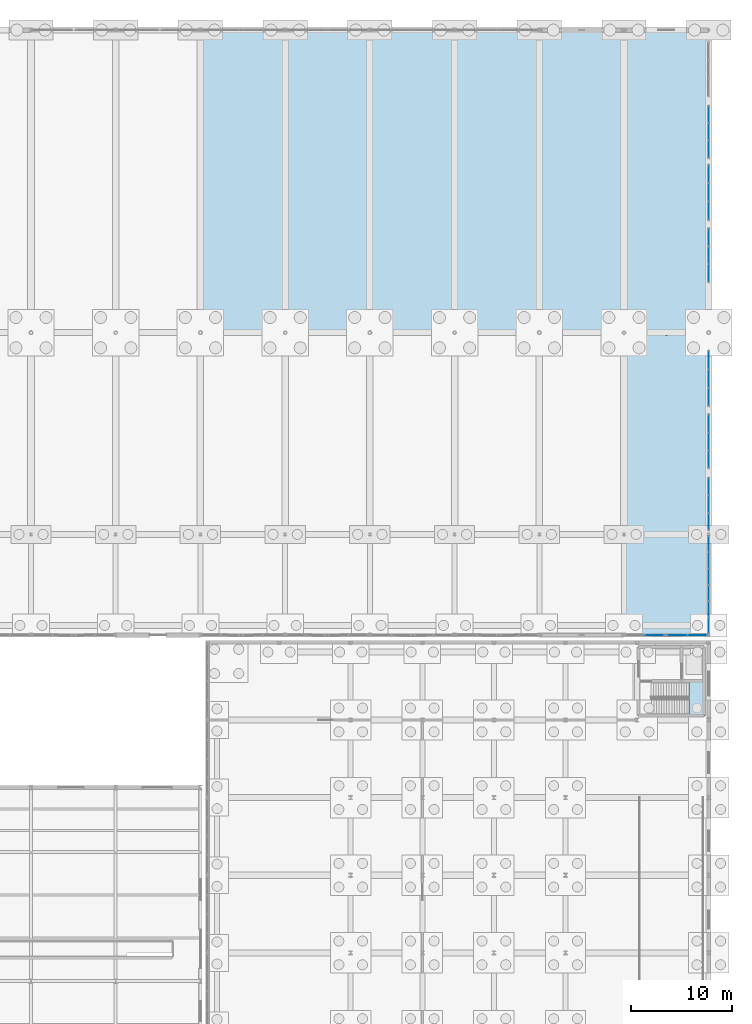
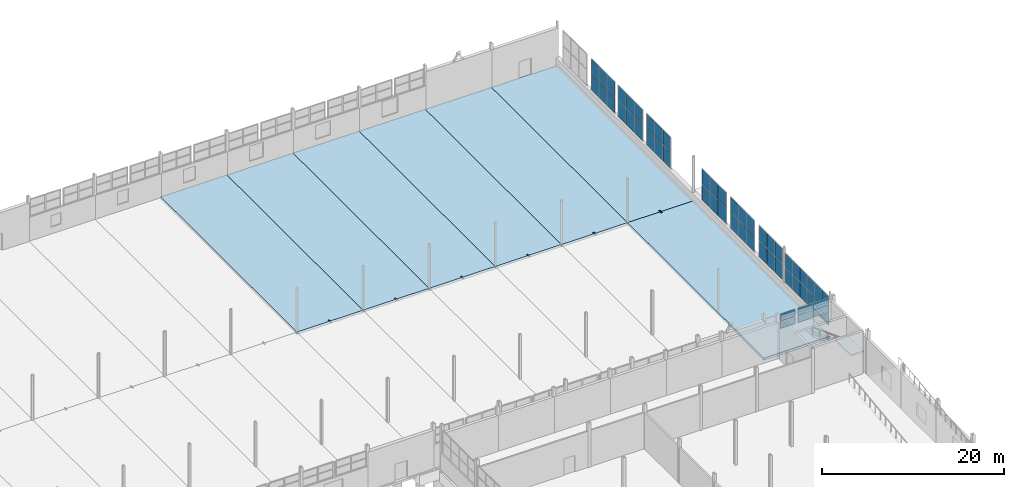
# One storey, part 109 of 139: 54 plates, 8 slabs, 10 elements without a shape of their own.
"""IFC4 building model written with IfcOpenShell, lengths in metres."""

from ifc_helpers import new_model, si_unit, direction, frame, origin, origin_2d, place, context, subcontext, project, spatial, polyline, rectangle, outline, extrude, material, layer, layer_set, type_object, element, aggregate, save


model = new_model("IFC4")

# Units and contexts
model_context = context("Model", 3, precision=1e-05, world=origin(), true_north=direction((0.0, 1.0)))
body_context = subcontext(model_context, "Body", "Model", "MODEL_VIEW")
ifc_project = project(units=[si_unit("LENGTHUNIT", "METRE"), si_unit("AREAUNIT", "SQUARE_METRE"), si_unit("VOLUMEUNIT", "CUBIC_METRE"), si_unit("PLANEANGLEUNIT", "RADIAN"), si_unit("MASSUNIT", "GRAM", prefix="KILO")], contexts=[model_context])

# Site, building, storey
site_placement = place(None, origin())
site = spatial("IfcSite", under=ifc_project, at=site_placement, CompositionType="ELEMENT")
building_placement = place(site_placement, origin())
building = spatial("IfcBuilding", under=site, at=building_placement, Name="Kazenagashi Tramway Depot", CompositionType="ELEMENT")
storey_placement = place(building_placement, origin())
storey = spatial("IfcBuildingStorey", under=building, at=storey_placement, Name="L01", CompositionType="ELEMENT", Elevation=0.0)

# Curtain wall, plates
ifc_material_1 = material(Name="Anodised Aluminium and Low-E Glazing", Category="aluminium")
curtain_wall_type_1 = type_object("IfcCurtainWallType", Name="CW-01", PredefinedType="USERDEFINED", material=ifc_material_1)
curtain_wall_1_placement = place(storey_placement, origin())
curtain_wall_1 = element("IfcCurtainWall", 1, at=curtain_wall_1_placement, inside=storey, type_object=curtain_wall_type_1, Name="Industrial Glazed Screen CW-01 CW-0001", ObjectType="GLAZED SCREEN", PredefinedType="USERDEFINED")
ifc_material_2 = material(Name="Tempered Laminated Low-E Glass", Category="glass")
ifc_layer_1 = layer(ifc_material_2, 0.016)
ifc_layer_set_1 = layer_set([ifc_layer_1], Name="Tempered Laminated Low-E Glass")
plate_type_1 = type_object("IfcPlateType", Name="GL-01", PredefinedType="CURTAIN_PANEL", material=ifc_layer_set_1)
plate_1_placement = place(storey_placement, frame((196.0, 70.965, 1.26), z_axis=(0.0, 0.0, 1.0), x_axis=(0.0, 1.0, 0.0)))
plate_1 = element("IfcPlate", 2, at=plate_1_placement, type_object=plate_type_1, Name="CW-01 panel 1.1", PredefinedType="CURTAIN_PANEL", context=body_context, shape_type="SweptSolid", body=[
    extrude(rectangle(XDim=1.53, YDim=0.016, at=origin_2d()), origin(), (0.0, 0.0, 1.0), 2.014),
])
plate_2_placement = place(storey_placement, frame((196.0, 70.965, 3.334), z_axis=(0.0, 0.0, 1.0), x_axis=(0.0, 1.0, 0.0)))
plate_2 = element("IfcPlate", 3, at=plate_2_placement, type_object=plate_type_1, Name="CW-01 panel 1.2", PredefinedType="CURTAIN_PANEL", context=body_context, shape_type="SweptSolid", body=[
    extrude(rectangle(XDim=1.53, YDim=0.016, at=origin_2d()), origin(), (0.0, 0.0, 1.0), 1.853),
])
plate_3_placement = place(storey_placement, frame((196.0, 72.57, 1.26), z_axis=(0.0, 0.0, 1.0), x_axis=(0.0, 1.0, 0.0)))
plate_3 = element("IfcPlate", 4, at=plate_3_placement, type_object=plate_type_1, Name="CW-01 panel 2.1", PredefinedType="CURTAIN_PANEL", context=body_context, shape_type="SweptSolid", body=[
    extrude(rectangle(XDim=1.56, YDim=0.016, at=origin_2d()), origin(), (0.0, 0.0, 1.0), 2.014),
])
plate_4_placement = place(storey_placement, frame((196.0, 72.57, 3.334), z_axis=(0.0, 0.0, 1.0), x_axis=(0.0, 1.0, 0.0)))
plate_4 = element("IfcPlate", 5, at=plate_4_placement, type_object=plate_type_1, Name="CW-01 panel 2.2", PredefinedType="CURTAIN_PANEL", context=body_context, shape_type="SweptSolid", body=[
    extrude(rectangle(XDim=1.56, YDim=0.016, at=origin_2d()), origin(), (0.0, 0.0, 1.0), 1.853),
])
plate_5_placement = place(storey_placement, frame((196.0, 74.19, 1.26), z_axis=(0.0, 0.0, 1.0), x_axis=(0.0, 1.0, 0.0)))
plate_5 = element("IfcPlate", 6, at=plate_5_placement, type_object=plate_type_1, Name="CW-01 panel 3.1", PredefinedType="CURTAIN_PANEL", context=body_context, shape_type="SweptSolid", body=[
    extrude(rectangle(XDim=1.56, YDim=0.016, at=origin_2d()), origin(), (0.0, 0.0, 1.0), 2.014),
])
plate_6_placement = place(storey_placement, frame((196.0, 74.19, 3.334), z_axis=(0.0, 0.0, 1.0), x_axis=(0.0, 1.0, 0.0)))
plate_6 = element("IfcPlate", 7, at=plate_6_placement, type_object=plate_type_1, Name="CW-01 panel 3.2", PredefinedType="CURTAIN_PANEL", context=body_context, shape_type="SweptSolid", body=[
    extrude(rectangle(XDim=1.56, YDim=0.016, at=origin_2d()), origin(), (0.0, 0.0, 1.0), 1.853),
])
plate_7_placement = place(storey_placement, frame((196.0, 75.81, 1.26), z_axis=(0.0, 0.0, 1.0), x_axis=(0.0, 1.0, 0.0)))
plate_7 = element("IfcPlate", 8, at=plate_7_placement, type_object=plate_type_1, Name="CW-01 panel 4.1", PredefinedType="CURTAIN_PANEL", context=body_context, shape_type="SweptSolid", body=[
    extrude(rectangle(XDim=1.56, YDim=0.016, at=origin_2d()), origin(), (0.0, 0.0, 1.0), 2.014),
])
plate_8_placement = place(storey_placement, frame((196.0, 75.81, 3.334), z_axis=(0.0, 0.0, 1.0), x_axis=(0.0, 1.0, 0.0)))
plate_8 = element("IfcPlate", 9, at=plate_8_placement, type_object=plate_type_1, Name="CW-01 panel 4.2", PredefinedType="CURTAIN_PANEL", context=body_context, shape_type="SweptSolid", body=[
    extrude(rectangle(XDim=1.56, YDim=0.016, at=origin_2d()), origin(), (0.0, 0.0, 1.0), 1.853),
])
plate_9_placement = place(storey_placement, frame((196.0, 77.43, 1.26), z_axis=(0.0, 0.0, 1.0), x_axis=(0.0, 1.0, 0.0)))
plate_9 = element("IfcPlate", 10, at=plate_9_placement, type_object=plate_type_1, Name="CW-01 panel 5.1", PredefinedType="CURTAIN_PANEL", context=body_context, shape_type="SweptSolid", body=[
    extrude(rectangle(XDim=1.56, YDim=0.016, at=origin_2d()), origin(), (0.0, 0.0, 1.0), 2.014),
])
plate_10_placement = place(storey_placement, frame((196.0, 77.43, 3.334), z_axis=(0.0, 0.0, 1.0), x_axis=(0.0, 1.0, 0.0)))
plate_10 = element("IfcPlate", 11, at=plate_10_placement, type_object=plate_type_1, Name="CW-01 panel 5.2", PredefinedType="CURTAIN_PANEL", context=body_context, shape_type="SweptSolid", body=[
    extrude(rectangle(XDim=1.56, YDim=0.016, at=origin_2d()), origin(), (0.0, 0.0, 1.0), 1.853),
])
plate_11_placement = place(storey_placement, frame((196.0, 79.035, 1.26), z_axis=(0.0, 0.0, 1.0), x_axis=(0.0, 1.0, 0.0)))
plate_11 = element("IfcPlate", 12, at=plate_11_placement, type_object=plate_type_1, Name="CW-01 panel 6.1", PredefinedType="CURTAIN_PANEL", context=body_context, shape_type="SweptSolid", body=[
    extrude(rectangle(XDim=1.53, YDim=0.016, at=origin_2d()), origin(), (0.0, 0.0, 1.0), 2.014),
])
plate_12_placement = place(storey_placement, frame((196.0, 79.035, 3.334), z_axis=(0.0, 0.0, 1.0), x_axis=(0.0, 1.0, 0.0)))
plate_12 = element("IfcPlate", 13, at=plate_12_placement, type_object=plate_type_1, Name="CW-01 panel 6.2", PredefinedType="CURTAIN_PANEL", context=body_context, shape_type="SweptSolid", body=[
    extrude(rectangle(XDim=1.53, YDim=0.016, at=origin_2d()), origin(), (0.0, 0.0, 1.0), 1.853),
])
aggregate(curtain_wall_1, [plate_1, plate_2, plate_3, plate_4, plate_5, plate_6, plate_7, plate_8, plate_9, plate_10, plate_11, plate_12])

curtain_wall_type_2 = type_object("IfcCurtainWallType", Name="CW-03", PredefinedType="USERDEFINED", material=ifc_material_1)
curtain_wall_2_placement = place(storey_placement, origin())
curtain_wall_2 = element("IfcCurtainWall", 14, at=curtain_wall_2_placement, inside=storey, type_object=curtain_wall_type_2, Name="Industrial Glazed Screen CW-03 CW-0003", ObjectType="GLAZED SCREEN", PredefinedType="USERDEFINED")
ifc_layer_2 = layer(ifc_material_2, 0.02)
ifc_layer_set_2 = layer_set([ifc_layer_2], Name="Tempered Laminated Low-E Glass")
plate_type_2 = type_object("IfcPlateType", Name="GL-03", PredefinedType="CURTAIN_PANEL", material=ifc_layer_set_2)
plate_13_placement = place(storey_placement, frame((196.0, 81.281667, 1.26), z_axis=(0.0, 0.0, 1.0), x_axis=(0.0, 1.0, 0.0)))
plate_13 = element("IfcPlate", 15, at=plate_13_placement, type_object=plate_type_2, Name="CW-03 panel 1.1", PredefinedType="CURTAIN_PANEL", context=body_context, shape_type="SweptSolid", body=[
    extrude(rectangle(XDim=1.643333, YDim=0.02, at=origin_2d()), origin(), (0.0, 0.0, 1.0), 2.142),
])
plate_14_placement = place(storey_placement, frame((196.0, 81.281667, 3.462), z_axis=(0.0, 0.0, 1.0), x_axis=(0.0, 1.0, 0.0)))
plate_14 = element("IfcPlate", 16, at=plate_14_placement, type_object=plate_type_2, Name="CW-03 panel 1.2", PredefinedType="CURTAIN_PANEL", context=body_context, shape_type="SweptSolid", body=[
    extrude(rectangle(XDim=1.643333, YDim=0.02, at=origin_2d()), origin(), (0.0, 0.0, 1.0), 1.97),
])
plate_15_placement = place(storey_placement, frame((196.0, 83.0, 1.26), z_axis=(0.0, 0.0, 1.0), x_axis=(0.0, 1.0, 0.0)))
plate_15 = element("IfcPlate", 17, at=plate_15_placement, type_object=plate_type_2, Name="CW-03 panel 2.1", PredefinedType="CURTAIN_PANEL", context=body_context, shape_type="SweptSolid", body=[
    extrude(rectangle(XDim=1.673333, YDim=0.02, at=origin_2d()), origin(), (0.0, 0.0, 1.0), 2.142),
])
plate_16_placement = place(storey_placement, frame((196.0, 83.0, 3.462), z_axis=(0.0, 0.0, 1.0), x_axis=(0.0, 1.0, 0.0)))
plate_16 = element("IfcPlate", 18, at=plate_16_placement, type_object=plate_type_2, Name="CW-03 panel 2.2", PredefinedType="CURTAIN_PANEL", context=body_context, shape_type="SweptSolid", body=[
    extrude(rectangle(XDim=1.673333, YDim=0.02, at=origin_2d()), origin(), (0.0, 0.0, 1.0), 1.97),
])
plate_17_placement = place(storey_placement, frame((196.0, 84.718333, 1.26), z_axis=(0.0, 0.0, 1.0), x_axis=(0.0, 1.0, 0.0)))
plate_17 = element("IfcPlate", 19, at=plate_17_placement, type_object=plate_type_2, Name="CW-03 panel 3.1", PredefinedType="CURTAIN_PANEL", context=body_context, shape_type="SweptSolid", body=[
    extrude(rectangle(XDim=1.643333, YDim=0.02, at=origin_2d()), origin(), (0.0, 0.0, 1.0), 2.142),
])
plate_18_placement = place(storey_placement, frame((196.0, 84.718333, 3.462), z_axis=(0.0, 0.0, 1.0), x_axis=(0.0, 1.0, 0.0)))
plate_18 = element("IfcPlate", 20, at=plate_18_placement, type_object=plate_type_2, Name="CW-03 panel 3.2", PredefinedType="CURTAIN_PANEL", context=body_context, shape_type="SweptSolid", body=[
    extrude(rectangle(XDim=1.643333, YDim=0.02, at=origin_2d()), origin(), (0.0, 0.0, 1.0), 1.97),
])
aggregate(curtain_wall_2, [plate_13, plate_14, plate_15, plate_16, plate_17, plate_18])

curtain_wall_type_3 = type_object("IfcCurtainWallType", Name="CW-05", PredefinedType="USERDEFINED", material=ifc_material_1)
curtain_wall_3_placement = place(storey_placement, origin())
curtain_wall_3 = element("IfcCurtainWall", 21, at=curtain_wall_3_placement, inside=storey, type_object=curtain_wall_type_3, Name="Industrial Glazed Screen CW-05 CW-0005", ObjectType="GLAZED SCREEN", PredefinedType="USERDEFINED")
ifc_layer_3 = layer(ifc_material_2, 0.024)
ifc_layer_set_3 = layer_set([ifc_layer_3], Name="Tempered Laminated Low-E Glass")
plate_type_3 = type_object("IfcPlateType", Name="GL-05", PredefinedType="CURTAIN_PANEL", material=ifc_layer_set_3)
plate_19_placement = place(storey_placement, frame((196.0, 87.456667, 1.26), z_axis=(0.0, 0.0, 1.0), x_axis=(0.0, 1.0, 0.0)))
plate_19 = element("IfcPlate", 22, at=plate_19_placement, type_object=plate_type_3, Name="CW-05 panel 1.1", PredefinedType="CURTAIN_PANEL", context=body_context, shape_type="SweptSolid", body=[
    extrude(rectangle(XDim=1.693333, YDim=0.024, at=origin_2d()), origin(), (0.0, 0.0, 1.0), 2.142),
])
plate_20_placement = place(storey_placement, frame((196.0, 87.456667, 3.462), z_axis=(0.0, 0.0, 1.0), x_axis=(0.0, 1.0, 0.0)))
plate_20 = element("IfcPlate", 23, at=plate_20_placement, type_object=plate_type_3, Name="CW-05 panel 1.2", PredefinedType="CURTAIN_PANEL", context=body_context, shape_type="SweptSolid", body=[
    extrude(rectangle(XDim=1.693333, YDim=0.024, at=origin_2d()), origin(), (0.0, 0.0, 1.0), 1.97),
])
plate_21_placement = place(storey_placement, frame((196.0, 89.225, 1.26), z_axis=(0.0, 0.0, 1.0), x_axis=(0.0, 1.0, 0.0)))
plate_21 = element("IfcPlate", 24, at=plate_21_placement, type_object=plate_type_3, Name="CW-05 panel 2.1", PredefinedType="CURTAIN_PANEL", context=body_context, shape_type="SweptSolid", body=[
    extrude(rectangle(XDim=1.723333, YDim=0.024, at=origin_2d()), origin(), (0.0, 0.0, 1.0), 2.142),
])
plate_22_placement = place(storey_placement, frame((196.0, 89.225, 3.462), z_axis=(0.0, 0.0, 1.0), x_axis=(0.0, 1.0, 0.0)))
plate_22 = element("IfcPlate", 25, at=plate_22_placement, type_object=plate_type_3, Name="CW-05 panel 2.2", PredefinedType="CURTAIN_PANEL", context=body_context, shape_type="SweptSolid", body=[
    extrude(rectangle(XDim=1.723333, YDim=0.024, at=origin_2d()), origin(), (0.0, 0.0, 1.0), 1.97),
])
plate_23_placement = place(storey_placement, frame((196.0, 90.993333, 1.26), z_axis=(0.0, 0.0, 1.0), x_axis=(0.0, 1.0, 0.0)))
plate_23 = element("IfcPlate", 26, at=plate_23_placement, type_object=plate_type_3, Name="CW-05 panel 3.1", PredefinedType="CURTAIN_PANEL", context=body_context, shape_type="SweptSolid", body=[
    extrude(rectangle(XDim=1.693333, YDim=0.024, at=origin_2d()), origin(), (0.0, 0.0, 1.0), 2.142),
])
plate_24_placement = place(storey_placement, frame((196.0, 90.993333, 3.462), z_axis=(0.0, 0.0, 1.0), x_axis=(0.0, 1.0, 0.0)))
plate_24 = element("IfcPlate", 27, at=plate_24_placement, type_object=plate_type_3, Name="CW-05 panel 3.2", PredefinedType="CURTAIN_PANEL", context=body_context, shape_type="SweptSolid", body=[
    extrude(rectangle(XDim=1.693333, YDim=0.024, at=origin_2d()), origin(), (0.0, 0.0, 1.0), 1.97),
])
aggregate(curtain_wall_3, [plate_19, plate_20, plate_21, plate_22, plate_23, plate_24])

curtain_wall_type_4 = type_object("IfcCurtainWallType", Name="CW-12", PredefinedType="USERDEFINED", material=ifc_material_1)
curtain_wall_4_placement = place(storey_placement, origin())
curtain_wall_4 = element("IfcCurtainWall", 28, at=curtain_wall_4_placement, inside=storey, type_object=curtain_wall_type_4, Name="Industrial Glazed Screen CW-12 CW-0053", ObjectType="GLAZED SCREEN", PredefinedType="USERDEFINED")
plate_25_placement = place(storey_placement, frame((190.6125, 70.0, 3.26), z_axis=(0.0, 0.0, 1.0), x_axis=(1.0, 0.0, 0.0)))
plate_25 = element("IfcPlate", 29, at=plate_25_placement, type_object=plate_type_3, Name="CW-12 panel 2.1", PredefinedType="CURTAIN_PANEL", context=body_context, shape_type="SweptSolid", body=[
    extrude(rectangle(XDim=1.835, YDim=0.024, at=origin_2d()), origin(), (0.0, 0.0, 1.0), 0.974),
])
plate_26_placement = place(storey_placement, frame((190.6125, 70.0, 4.294), z_axis=(0.0, 0.0, 1.0), x_axis=(1.0, 0.0, 0.0)))
plate_26 = element("IfcPlate", 30, at=plate_26_placement, type_object=plate_type_3, Name="CW-12 panel 2.2", PredefinedType="CURTAIN_PANEL", context=body_context, shape_type="SweptSolid", body=[
    extrude(rectangle(XDim=1.835, YDim=0.024, at=origin_2d()), origin(), (0.0, 0.0, 1.0), 0.893),
])
aggregate(curtain_wall_4, [plate_25, plate_26])

curtain_wall_type_5 = type_object("IfcCurtainWallType", Name="CW-13", PredefinedType="USERDEFINED", material=ifc_material_1)
curtain_wall_5_placement = place(storey_placement, origin())
curtain_wall_5 = element("IfcCurtainWall", 31, at=curtain_wall_5_placement, inside=storey, type_object=curtain_wall_type_5, Name="Industrial Glazed Screen CW-13 CW-0054", ObjectType="GLAZED SCREEN", PredefinedType="USERDEFINED")
ifc_layer_4 = layer(ifc_material_2, 0.026)
ifc_layer_set_4 = layer_set([ifc_layer_4], Name="Tempered Laminated Low-E Glass")
plate_type_4 = type_object("IfcPlateType", Name="GL-06", PredefinedType="CURTAIN_PANEL", material=ifc_layer_set_4)
plate_27_placement = place(storey_placement, frame((192.8975, 70.0, 3.26), z_axis=(0.0, 0.0, 1.0), x_axis=(1.0, 0.0, 0.0)))
plate_27 = element("IfcPlate", 32, at=plate_27_placement, type_object=plate_type_4, Name="CW-13 panel 1.1", PredefinedType="CURTAIN_PANEL", context=body_context, shape_type="SweptSolid", body=[
    extrude(rectangle(XDim=1.895, YDim=0.026, at=origin_2d()), origin(), (0.0, 0.0, 1.0), 0.974),
])
plate_28_placement = place(storey_placement, frame((192.8975, 70.0, 4.294), z_axis=(0.0, 0.0, 1.0), x_axis=(1.0, 0.0, 0.0)))
plate_28 = element("IfcPlate", 33, at=plate_28_placement, type_object=plate_type_4, Name="CW-13 panel 1.2", PredefinedType="CURTAIN_PANEL", context=body_context, shape_type="SweptSolid", body=[
    extrude(rectangle(XDim=1.895, YDim=0.026, at=origin_2d()), origin(), (0.0, 0.0, 1.0), 0.893),
])
plate_29_placement = place(storey_placement, frame((194.8525, 70.0, 3.26), z_axis=(0.0, 0.0, 1.0), x_axis=(1.0, 0.0, 0.0)))
plate_29 = element("IfcPlate", 34, at=plate_29_placement, type_object=plate_type_4, Name="CW-13 panel 2.1", PredefinedType="CURTAIN_PANEL", context=body_context, shape_type="SweptSolid", body=[
    extrude(rectangle(XDim=1.895, YDim=0.026, at=origin_2d()), origin(), (0.0, 0.0, 1.0), 0.974),
])
plate_30_placement = place(storey_placement, frame((194.8525, 70.0, 4.294), z_axis=(0.0, 0.0, 1.0), x_axis=(1.0, 0.0, 0.0)))
plate_30 = element("IfcPlate", 35, at=plate_30_placement, type_object=plate_type_4, Name="CW-13 panel 2.2", PredefinedType="CURTAIN_PANEL", context=body_context, shape_type="SweptSolid", body=[
    extrude(rectangle(XDim=1.895, YDim=0.026, at=origin_2d()), origin(), (0.0, 0.0, 1.0), 0.893),
])
aggregate(curtain_wall_5, [plate_27, plate_28, plate_29, plate_30])

curtain_wall_type_6 = type_object("IfcCurtainWallType", Name="CW-07", PredefinedType="USERDEFINED", material=ifc_material_1)
curtain_wall_6_placement = place(storey_placement, origin())
curtain_wall_6 = element("IfcCurtainWall", 36, at=curtain_wall_6_placement, inside=storey, type_object=curtain_wall_type_6, Name="Industrial Glazed Screen CW-07 CW-0007", ObjectType="GLAZED SCREEN", PredefinedType="USERDEFINED")
ifc_layer_5 = layer(ifc_material_2, 0.028)
ifc_layer_set_5 = layer_set([ifc_layer_5], Name="Tempered Laminated Low-E Glass")
plate_type_5 = type_object("IfcPlateType", Name="GL-07", PredefinedType="CURTAIN_PANEL", material=ifc_layer_set_5)
plate_31_placement = place(storey_placement, frame((196.0, 93.631667, 1.26), z_axis=(0.0, 0.0, 1.0), x_axis=(0.0, 1.0, 0.0)))
plate_31 = element("IfcPlate", 37, at=plate_31_placement, type_object=plate_type_5, Name="CW-07 panel 1.1", PredefinedType="CURTAIN_PANEL", context=body_context, shape_type="SweptSolid", body=[
    extrude(rectangle(XDim=1.743333, YDim=0.028, at=origin_2d()), origin(), (0.0, 0.0, 1.0), 2.142),
])
plate_32_placement = place(storey_placement, frame((196.0, 93.631667, 3.462), z_axis=(0.0, 0.0, 1.0), x_axis=(0.0, 1.0, 0.0)))
plate_32 = element("IfcPlate", 38, at=plate_32_placement, type_object=plate_type_5, Name="CW-07 panel 1.2", PredefinedType="CURTAIN_PANEL", context=body_context, shape_type="SweptSolid", body=[
    extrude(rectangle(XDim=1.743333, YDim=0.028, at=origin_2d()), origin(), (0.0, 0.0, 1.0), 1.97),
])
plate_33_placement = place(storey_placement, frame((196.0, 95.45, 1.26), z_axis=(0.0, 0.0, 1.0), x_axis=(0.0, 1.0, 0.0)))
plate_33 = element("IfcPlate", 39, at=plate_33_placement, type_object=plate_type_5, Name="CW-07 panel 2.1", PredefinedType="CURTAIN_PANEL", context=body_context, shape_type="SweptSolid", body=[
    extrude(rectangle(XDim=1.773333, YDim=0.028, at=origin_2d()), origin(), (0.0, 0.0, 1.0), 2.142),
])
plate_34_placement = place(storey_placement, frame((196.0, 95.45, 3.462), z_axis=(0.0, 0.0, 1.0), x_axis=(0.0, 1.0, 0.0)))
plate_34 = element("IfcPlate", 40, at=plate_34_placement, type_object=plate_type_5, Name="CW-07 panel 2.2", PredefinedType="CURTAIN_PANEL", context=body_context, shape_type="SweptSolid", body=[
    extrude(rectangle(XDim=1.773333, YDim=0.028, at=origin_2d()), origin(), (0.0, 0.0, 1.0), 1.97),
])
plate_35_placement = place(storey_placement, frame((196.0, 97.268333, 1.26), z_axis=(0.0, 0.0, 1.0), x_axis=(0.0, 1.0, 0.0)))
plate_35 = element("IfcPlate", 41, at=plate_35_placement, type_object=plate_type_5, Name="CW-07 panel 3.1", PredefinedType="CURTAIN_PANEL", context=body_context, shape_type="SweptSolid", body=[
    extrude(rectangle(XDim=1.743333, YDim=0.028, at=origin_2d()), origin(), (0.0, 0.0, 1.0), 2.142),
])
plate_36_placement = place(storey_placement, frame((196.0, 97.268333, 3.462), z_axis=(0.0, 0.0, 1.0), x_axis=(0.0, 1.0, 0.0)))
plate_36 = element("IfcPlate", 42, at=plate_36_placement, type_object=plate_type_5, Name="CW-07 panel 3.2", PredefinedType="CURTAIN_PANEL", context=body_context, shape_type="SweptSolid", body=[
    extrude(rectangle(XDim=1.743333, YDim=0.028, at=origin_2d()), origin(), (0.0, 0.0, 1.0), 1.97),
])
aggregate(curtain_wall_6, [plate_31, plate_32, plate_33, plate_34, plate_35, plate_36])

curtain_wall_7_placement = place(storey_placement, origin())
curtain_wall_7 = element("IfcCurtainWall", 43, at=curtain_wall_7_placement, inside=storey, type_object=curtain_wall_type_3, Name="Industrial Glazed Screen CW-05 CW-0009", ObjectType="GLAZED SCREEN", PredefinedType="USERDEFINED")
ifc_layer_6 = layer(ifc_material_2, 0.032)
ifc_layer_set_6 = layer_set([ifc_layer_6], Name="Tempered Laminated Low-E Glass")
plate_type_6 = type_object("IfcPlateType", Name="GL-09", PredefinedType="CURTAIN_PANEL", material=ifc_layer_set_6)
plate_37_placement = place(storey_placement, frame((196.0, 105.906667, 1.26), z_axis=(0.0, 0.0, 1.0), x_axis=(0.0, 1.0, 0.0)))
plate_37 = element("IfcPlate", 44, at=plate_37_placement, type_object=plate_type_6, Name="CW-05 panel 1.1", PredefinedType="CURTAIN_PANEL", context=body_context, shape_type="SweptSolid", body=[
    extrude(rectangle(XDim=1.693333, YDim=0.032, at=origin_2d()), origin(), (0.0, 0.0, 1.0), 2.142),
])
plate_38_placement = place(storey_placement, frame((196.0, 105.906667, 3.462), z_axis=(0.0, 0.0, 1.0), x_axis=(0.0, 1.0, 0.0)))
plate_38 = element("IfcPlate", 45, at=plate_38_placement, type_object=plate_type_6, Name="CW-05 panel 1.2", PredefinedType="CURTAIN_PANEL", context=body_context, shape_type="SweptSolid", body=[
    extrude(rectangle(XDim=1.693333, YDim=0.032, at=origin_2d()), origin(), (0.0, 0.0, 1.0), 1.97),
])
plate_39_placement = place(storey_placement, frame((196.0, 107.675, 1.26), z_axis=(0.0, 0.0, 1.0), x_axis=(0.0, 1.0, 0.0)))
plate_39 = element("IfcPlate", 46, at=plate_39_placement, type_object=plate_type_6, Name="CW-05 panel 2.1", PredefinedType="CURTAIN_PANEL", context=body_context, shape_type="SweptSolid", body=[
    extrude(rectangle(XDim=1.723333, YDim=0.032, at=origin_2d()), origin(), (0.0, 0.0, 1.0), 2.142),
])
plate_40_placement = place(storey_placement, frame((196.0, 107.675, 3.462), z_axis=(0.0, 0.0, 1.0), x_axis=(0.0, 1.0, 0.0)))
plate_40 = element("IfcPlate", 47, at=plate_40_placement, type_object=plate_type_6, Name="CW-05 panel 2.2", PredefinedType="CURTAIN_PANEL", context=body_context, shape_type="SweptSolid", body=[
    extrude(rectangle(XDim=1.723333, YDim=0.032, at=origin_2d()), origin(), (0.0, 0.0, 1.0), 1.97),
])
plate_41_placement = place(storey_placement, frame((196.0, 109.443333, 1.26), z_axis=(0.0, 0.0, 1.0), x_axis=(0.0, 1.0, 0.0)))
plate_41 = element("IfcPlate", 48, at=plate_41_placement, type_object=plate_type_6, Name="CW-05 panel 3.1", PredefinedType="CURTAIN_PANEL", context=body_context, shape_type="SweptSolid", body=[
    extrude(rectangle(XDim=1.693333, YDim=0.032, at=origin_2d()), origin(), (0.0, 0.0, 1.0), 2.142),
])
plate_42_placement = place(storey_placement, frame((196.0, 109.443333, 3.462), z_axis=(0.0, 0.0, 1.0), x_axis=(0.0, 1.0, 0.0)))
plate_42 = element("IfcPlate", 49, at=plate_42_placement, type_object=plate_type_6, Name="CW-05 panel 3.2", PredefinedType="CURTAIN_PANEL", context=body_context, shape_type="SweptSolid", body=[
    extrude(rectangle(XDim=1.693333, YDim=0.032, at=origin_2d()), origin(), (0.0, 0.0, 1.0), 1.97),
])
aggregate(curtain_wall_7, [plate_37, plate_38, plate_39, plate_40, plate_41, plate_42])

curtain_wall_8_placement = place(storey_placement, origin())
curtain_wall_8 = element("IfcCurtainWall", 50, at=curtain_wall_8_placement, inside=storey, type_object=curtain_wall_type_6, Name="Industrial Glazed Screen CW-07 CW-0011", ObjectType="GLAZED SCREEN", PredefinedType="USERDEFINED")
ifc_layer_7 = layer(ifc_material_2, 0.036)
ifc_layer_set_7 = layer_set([ifc_layer_7], Name="Tempered Laminated Low-E Glass")
plate_type_7 = type_object("IfcPlateType", Name="GL-11", PredefinedType="CURTAIN_PANEL", material=ifc_layer_set_7)
plate_43_placement = place(storey_placement, frame((196.0, 112.081667, 1.26), z_axis=(0.0, 0.0, 1.0), x_axis=(0.0, 1.0, 0.0)))
plate_43 = element("IfcPlate", 51, at=plate_43_placement, type_object=plate_type_7, Name="CW-07 panel 1.1", PredefinedType="CURTAIN_PANEL", context=body_context, shape_type="SweptSolid", body=[
    extrude(rectangle(XDim=1.743333, YDim=0.036, at=origin_2d()), origin(), (0.0, 0.0, 1.0), 2.142),
])
plate_44_placement = place(storey_placement, frame((196.0, 112.081667, 3.462), z_axis=(0.0, 0.0, 1.0), x_axis=(0.0, 1.0, 0.0)))
plate_44 = element("IfcPlate", 52, at=plate_44_placement, type_object=plate_type_7, Name="CW-07 panel 1.2", PredefinedType="CURTAIN_PANEL", context=body_context, shape_type="SweptSolid", body=[
    extrude(rectangle(XDim=1.743333, YDim=0.036, at=origin_2d()), origin(), (0.0, 0.0, 1.0), 1.97),
])
plate_45_placement = place(storey_placement, frame((196.0, 113.9, 1.26), z_axis=(0.0, 0.0, 1.0), x_axis=(0.0, 1.0, 0.0)))
plate_45 = element("IfcPlate", 53, at=plate_45_placement, type_object=plate_type_7, Name="CW-07 panel 2.1", PredefinedType="CURTAIN_PANEL", context=body_context, shape_type="SweptSolid", body=[
    extrude(rectangle(XDim=1.773333, YDim=0.036, at=origin_2d()), origin(), (0.0, 0.0, 1.0), 2.142),
])
plate_46_placement = place(storey_placement, frame((196.0, 113.9, 3.462), z_axis=(0.0, 0.0, 1.0), x_axis=(0.0, 1.0, 0.0)))
plate_46 = element("IfcPlate", 54, at=plate_46_placement, type_object=plate_type_7, Name="CW-07 panel 2.2", PredefinedType="CURTAIN_PANEL", context=body_context, shape_type="SweptSolid", body=[
    extrude(rectangle(XDim=1.773333, YDim=0.036, at=origin_2d()), origin(), (0.0, 0.0, 1.0), 1.97),
])
plate_47_placement = place(storey_placement, frame((196.0, 115.718333, 1.26), z_axis=(0.0, 0.0, 1.0), x_axis=(0.0, 1.0, 0.0)))
plate_47 = element("IfcPlate", 55, at=plate_47_placement, type_object=plate_type_7, Name="CW-07 panel 3.1", PredefinedType="CURTAIN_PANEL", context=body_context, shape_type="SweptSolid", body=[
    extrude(rectangle(XDim=1.743333, YDim=0.036, at=origin_2d()), origin(), (0.0, 0.0, 1.0), 2.142),
])
plate_48_placement = place(storey_placement, frame((196.0, 115.718333, 3.462), z_axis=(0.0, 0.0, 1.0), x_axis=(0.0, 1.0, 0.0)))
plate_48 = element("IfcPlate", 56, at=plate_48_placement, type_object=plate_type_7, Name="CW-07 panel 3.2", PredefinedType="CURTAIN_PANEL", context=body_context, shape_type="SweptSolid", body=[
    extrude(rectangle(XDim=1.743333, YDim=0.036, at=origin_2d()), origin(), (0.0, 0.0, 1.0), 1.97),
])
aggregate(curtain_wall_8, [plate_43, plate_44, plate_45, plate_46, plate_47, plate_48])

curtain_wall_9_placement = place(storey_placement, origin())
curtain_wall_9 = element("IfcCurtainWall", 57, at=curtain_wall_9_placement, inside=storey, type_object=curtain_wall_type_2, Name="Industrial Glazed Screen CW-03 CW-0013", ObjectType="GLAZED SCREEN", PredefinedType="USERDEFINED")
ifc_layer_8 = layer(ifc_material_2, 0.04)
ifc_layer_set_8 = layer_set([ifc_layer_8], Name="Tempered Laminated Low-E Glass")
plate_type_8 = type_object("IfcPlateType", Name="GL-13", PredefinedType="CURTAIN_PANEL", material=ifc_layer_set_8)
plate_49_placement = place(storey_placement, frame((196.0, 118.181667, 1.26), z_axis=(0.0, 0.0, 1.0), x_axis=(0.0, 1.0, 0.0)))
plate_49 = element("IfcPlate", 58, at=plate_49_placement, type_object=plate_type_8, Name="CW-03 panel 1.1", PredefinedType="CURTAIN_PANEL", context=body_context, shape_type="SweptSolid", body=[
    extrude(rectangle(XDim=1.643333, YDim=0.04, at=origin_2d()), origin(), (0.0, 0.0, 1.0), 2.142),
])
plate_50_placement = place(storey_placement, frame((196.0, 118.181667, 3.462), z_axis=(0.0, 0.0, 1.0), x_axis=(0.0, 1.0, 0.0)))
plate_50 = element("IfcPlate", 59, at=plate_50_placement, type_object=plate_type_8, Name="CW-03 panel 1.2", PredefinedType="CURTAIN_PANEL", context=body_context, shape_type="SweptSolid", body=[
    extrude(rectangle(XDim=1.643333, YDim=0.04, at=origin_2d()), origin(), (0.0, 0.0, 1.0), 1.97),
])
plate_51_placement = place(storey_placement, frame((196.0, 119.9, 1.26), z_axis=(0.0, 0.0, 1.0), x_axis=(0.0, 1.0, 0.0)))
plate_51 = element("IfcPlate", 60, at=plate_51_placement, type_object=plate_type_8, Name="CW-03 panel 2.1", PredefinedType="CURTAIN_PANEL", context=body_context, shape_type="SweptSolid", body=[
    extrude(rectangle(XDim=1.673333, YDim=0.04, at=origin_2d()), origin(), (0.0, 0.0, 1.0), 2.142),
])
plate_52_placement = place(storey_placement, frame((196.0, 119.9, 3.462), z_axis=(0.0, 0.0, 1.0), x_axis=(0.0, 1.0, 0.0)))
plate_52 = element("IfcPlate", 61, at=plate_52_placement, type_object=plate_type_8, Name="CW-03 panel 2.2", PredefinedType="CURTAIN_PANEL", context=body_context, shape_type="SweptSolid", body=[
    extrude(rectangle(XDim=1.673333, YDim=0.04, at=origin_2d()), origin(), (0.0, 0.0, 1.0), 1.97),
])
plate_53_placement = place(storey_placement, frame((196.0, 121.618333, 1.26), z_axis=(0.0, 0.0, 1.0), x_axis=(0.0, 1.0, 0.0)))
plate_53 = element("IfcPlate", 62, at=plate_53_placement, type_object=plate_type_8, Name="CW-03 panel 3.1", PredefinedType="CURTAIN_PANEL", context=body_context, shape_type="SweptSolid", body=[
    extrude(rectangle(XDim=1.643333, YDim=0.04, at=origin_2d()), origin(), (0.0, 0.0, 1.0), 2.142),
])
plate_54_placement = place(storey_placement, frame((196.0, 121.618333, 3.462), z_axis=(0.0, 0.0, 1.0), x_axis=(0.0, 1.0, 0.0)))
plate_54 = element("IfcPlate", 63, at=plate_54_placement, type_object=plate_type_8, Name="CW-03 panel 3.2", PredefinedType="CURTAIN_PANEL", context=body_context, shape_type="SweptSolid", body=[
    extrude(rectangle(XDim=1.643333, YDim=0.04, at=origin_2d()), origin(), (0.0, 0.0, 1.0), 1.97),
])
aggregate(curtain_wall_9, [plate_49, plate_50, plate_51, plate_52, plate_53, plate_54])

# Slabs
ifc_material_3 = material(Name="Concrete Fc36", Category="concrete")
ifc_layer_9 = layer(ifc_material_3, 0.35)
ifc_layer_set_9 = layer_set([ifc_layer_9], Name="Concrete Fc36")
slab_type_1 = type_object("IfcSlabType", Name="SL-01", PredefinedType="BASESLAB", material=ifc_layer_set_9)
slab_1_placement = place(storey_placement, frame((0.0, 0.0, -0.35)))
element("IfcSlab", 64, at=slab_1_placement, inside=storey, type_object=slab_type_1, Name="Stabling Track Slab Bay 13B SLAB-034", PredefinedType="BASESLAB", context=body_context, shape_type="SweptSolid", body=[
    extrude(outline(polyline([(145.6, 100.0), (154.0, 100.0), (154.0, 130.0), (145.6, 130.0), (145.6, 100.0)]), holes=[polyline([(149.69, 100.04), (149.91, 100.04), (149.91, 100.26), (149.69, 100.26), (149.69, 100.04)])]), origin(), (0.0, 0.0, 1.0), 0.35),
])
slab_2_placement = place(storey_placement, frame((0.0, 0.0, -0.35)))
element("IfcSlab", 65, at=slab_2_placement, inside=storey, type_object=slab_type_1, Name="Stabling Track Slab Bay 15B SLAB-038", PredefinedType="BASESLAB", context=body_context, shape_type="SweptSolid", body=[
    extrude(outline(polyline([(162.4, 100.0), (170.8, 100.0), (170.8, 130.0), (162.4, 130.0), (162.4, 100.0)]), holes=[polyline([(166.49, 100.04), (166.71, 100.04), (166.71, 100.26), (166.49, 100.26), (166.49, 100.04)])]), origin(), (0.0, 0.0, 1.0), 0.35),
])
slab_3_placement = place(storey_placement, frame((0.0, 0.0, -0.35)))
element("IfcSlab", 66, at=slab_3_placement, inside=storey, type_object=slab_type_1, Name="Stabling Track Slab Bay 17B SLAB-042", PredefinedType="BASESLAB", context=body_context, shape_type="SweptSolid", body=[
    extrude(outline(polyline([(179.2, 100.0), (187.6, 100.0), (187.6, 130.0), (179.2, 130.0), (179.2, 100.0)]), holes=[polyline([(183.29, 100.04), (183.51, 100.04), (183.51, 100.26), (183.29, 100.26), (183.29, 100.04)])]), origin(), (0.0, 0.0, 1.0), 0.35),
])
ifc_layer_10 = layer(ifc_material_3, 0.325)
ifc_layer_set_10 = layer_set([ifc_layer_10], Name="Concrete Fc36")
slab_type_2 = type_object("IfcSlabType", Name="SL-02", PredefinedType="BASESLAB", material=ifc_layer_set_10)
slab_4_placement = place(storey_placement, frame((0.0, 0.0, -0.325)))
element("IfcSlab", 67, at=slab_4_placement, inside=storey, type_object=slab_type_2, Name="Stabling Track Slab Bay 14B SLAB-036", PredefinedType="BASESLAB", context=body_context, shape_type="SweptSolid", body=[
    extrude(outline(polyline([(154.0, 100.0), (162.4, 100.0), (162.4, 130.0), (154.0, 130.0), (154.0, 100.0)]), holes=[polyline([(158.09, 100.04), (158.31, 100.04), (158.31, 100.26), (158.09, 100.26), (158.09, 100.04)])]), origin(), (0.0, 0.0, 1.0), 0.325),
])
slab_5_placement = place(storey_placement, frame((0.0, 0.0, -0.325)))
element("IfcSlab", 68, at=slab_5_placement, inside=storey, type_object=slab_type_2, Name="Stabling Track Slab Bay 16B SLAB-040", PredefinedType="BASESLAB", context=body_context, shape_type="SweptSolid", body=[
    extrude(outline(polyline([(170.8, 100.0), (179.2, 100.0), (179.2, 130.0), (170.8, 130.0), (170.8, 100.0)]), holes=[polyline([(174.89, 100.04), (175.11, 100.04), (175.11, 100.26), (174.89, 100.26), (174.89, 100.04)])]), origin(), (0.0, 0.0, 1.0), 0.325),
])
slab_6_placement = place(storey_placement, frame((0.0, 0.0, -0.325)))
element("IfcSlab", 69, at=slab_6_placement, inside=storey, type_object=slab_type_2, Name="Stabling Track Slab Bay 18A SLAB-043", PredefinedType="BASESLAB", context=body_context, shape_type="SweptSolid", body=[
    extrude(outline(polyline([(187.6, 70.0), (196.0, 70.0), (196.0, 100.0), (187.6, 100.0), (187.6, 70.0)]), holes=[polyline([(191.69, 99.74), (191.91, 99.74), (191.91, 99.96), (191.69, 99.96), (191.69, 99.74)])]), origin(), (0.0, 0.0, 1.0), 0.325),
])
slab_7_placement = place(storey_placement, frame((0.0, 0.0, -0.325)))
element("IfcSlab", 70, at=slab_7_placement, inside=storey, type_object=slab_type_2, Name="Stabling Track Slab Bay 18B SLAB-044", PredefinedType="BASESLAB", context=body_context, shape_type="SweptSolid", body=[
    extrude(outline(polyline([(187.6, 100.0), (196.0, 100.0), (196.0, 130.0), (187.6, 130.0), (187.6, 100.0)]), holes=[polyline([(191.69, 100.04), (191.91, 100.04), (191.91, 100.26), (191.69, 100.26), (191.69, 100.04)])]), origin(), (0.0, 0.0, 1.0), 0.325),
])

# Stair, slab
stair_type = type_object("IfcStairType", Name="ST-T2", PredefinedType="USERDEFINED", material=ifc_material_3)
stair_placement = place(storey_placement, origin())
stair = element("IfcStair", 71, at=stair_placement, inside=storey, type_object=stair_type, Name="Enclosed Escape Stair ST-25", ObjectType="TWO_RETURN_STAIR", PredefinedType="USERDEFINED")
ifc_layer_11 = layer(ifc_material_3, 0.195)
ifc_layer_set_11 = layer_set([ifc_layer_11], Name="Concrete Fc36")
slab_type_3 = type_object("IfcSlabType", Name="SL-LD1", PredefinedType="LANDING", material=ifc_layer_set_11)
slab_8_placement = place(storey_placement, frame((0.0, 0.0, 2.805)))
slab_8 = element("IfcSlab", 72, at=slab_8_placement, type_object=slab_type_3, Name="ST-25 landing 1", PredefinedType="LANDING", context=body_context, shape_type="SweptSolid", body=[
    extrude(outline(polyline([(194.06, 62.01), (195.64, 62.01), (195.64, 65.5), (194.06, 65.5), (194.06, 62.01)])), origin(), (0.0, 0.0, 1.0), 0.195),
])
aggregate(stair, [slab_8])

save(model, "model.ifc")
